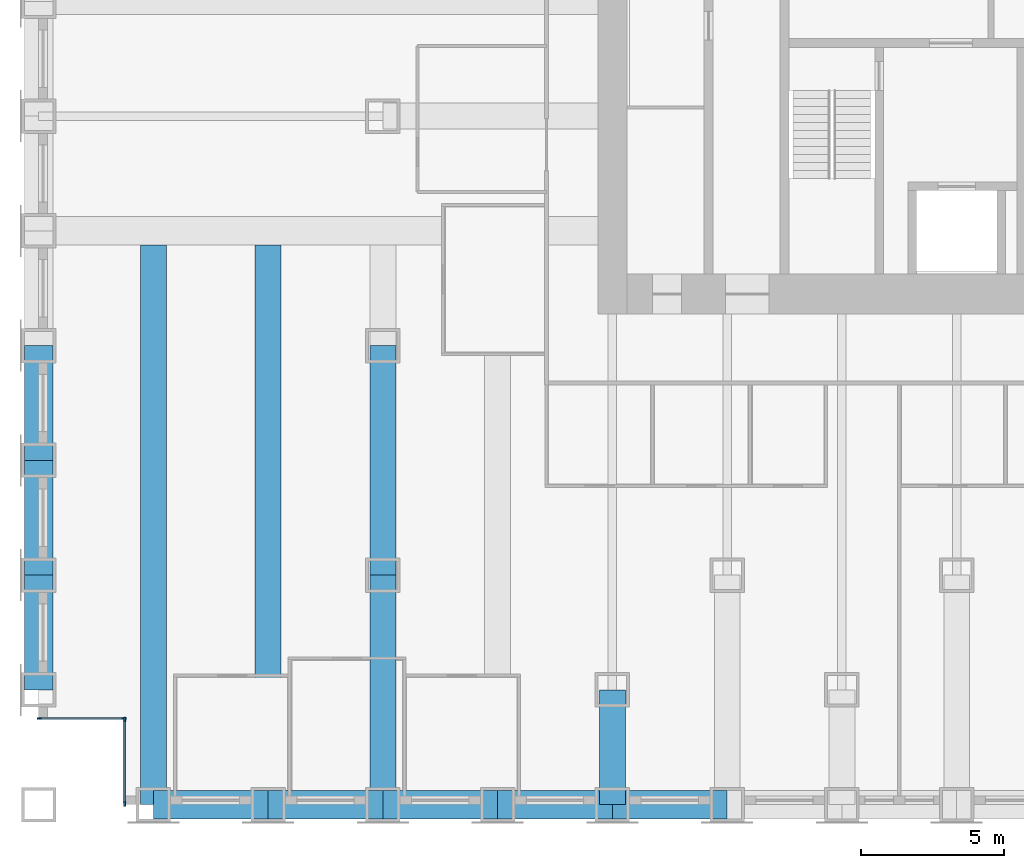
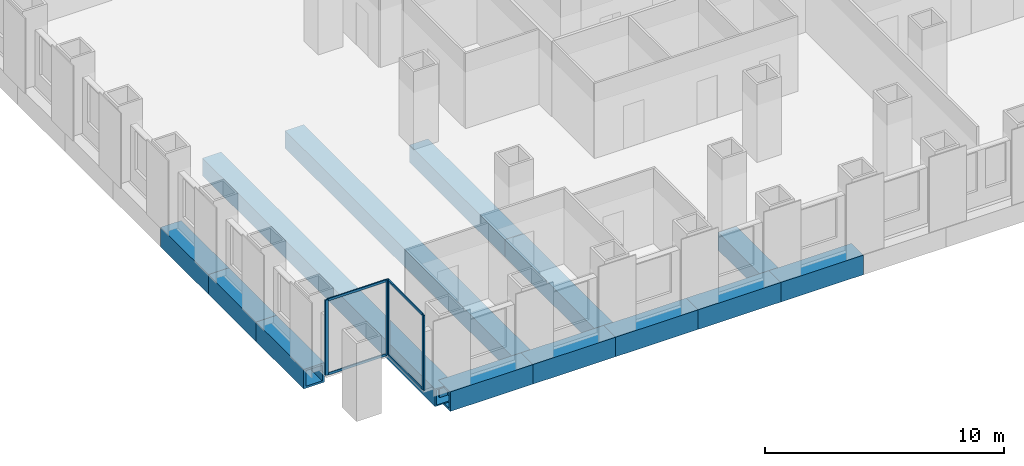
# One storey, part 2 of 14: 13 beams, 8 members, 2 elements without a shape of their own.
"""IFC4 building model written with IfcOpenShell, lengths in metres."""

from ifc_helpers import new_model, si_unit, direction, frame, origin, origin_2d, place, context, subcontext, project, spatial, rectangle, hollow_rectangle, extrude, material, material_profile, profile_set, type_object, element, aggregate, save


model = new_model("IFC4")

# Units and contexts
model_context = context("Model", 3, precision=1e-05, world=origin(), true_north=direction((0.0, 1.0)))
body_context = subcontext(model_context, "Body", "Model", "MODEL_VIEW")
ifc_project = project(units=[si_unit("LENGTHUNIT", "METRE"), si_unit("AREAUNIT", "SQUARE_METRE"), si_unit("VOLUMEUNIT", "CUBIC_METRE"), si_unit("PLANEANGLEUNIT", "RADIAN"), si_unit("MASSUNIT", "GRAM", prefix="KILO")], contexts=[model_context])

# Site, building, storey
site_placement = place(None, origin())
site = spatial("IfcSite", under=ifc_project, at=site_placement, CompositionType="ELEMENT")
building_placement = place(site_placement, origin())
building = spatial("IfcBuilding", under=site, at=building_placement, Name="Rimbunsela Tower", CompositionType="ELEMENT")
storey_placement = place(building_placement, frame((0.0, 0.0, 63.0)))
storey = spatial("IfcBuildingStorey", under=building, at=storey_placement, Name="L15", CompositionType="ELEMENT", Elevation=63.0)

# Beams
ifc_material_1 = material(Name="Steel BJ 55 (fy 410 MPa)", Category="steel")
ifc_material_profile_1 = material_profile(ifc_material_1, hollow_rectangle(XDim=1.0, YDim=1.0, WallThickness=0.10009765625, at=origin_2d()), Name="BOX 1000x1000x100")
ifc_profile_set_1 = profile_set([ifc_material_profile_1], Name="Steel BJ 55 (fy 410 MPa)")
beam_type_1 = type_object("IfcBeamType", Name="Beam BOX 1000x1000x100", PredefinedType="BEAM", material=ifc_profile_set_1)
for number, where, z_axis, x_axis, name in (
    (1, (-2.0, 4.0, -0.64990234375), (0.0, 1.0, 0.0), (-1.0, 0.0, 0.0), "Beam B3 L15"),
    (2, (-2.0, 8.0, -0.64990234375), (0.0, 1.0, 0.0), (-1.0, 0.0, 0.0), "Beam B3 L15"),
    (3, (-2.0, 12.0, -0.64990234375), (0.0, 1.0, 0.0), (-1.0, 0.0, 0.0), "Beam B3 L15"),
    (4, (2.0, 0.0, -0.64990234375), (1.0, 0.0, 0.0), (0.0, 1.0, 0.0), "Beam B3 L15"),
    (5, (6.0, 0.0, -0.64990234375), (1.0, 0.0, 0.0), (0.0, 1.0, 0.0), "Beam B3 L15"),
    (6, (10.0, 0.0, -0.64990234375), (1.0, 0.0, 0.0), (0.0, 1.0, 0.0), "Beam B3 L15"),
    (7, (14.0, 0.0, -0.64990234375), (1.0, 0.0, 0.0), (0.0, 1.0, 0.0), "Beam B3 L15"),
    (8, (18.0, 0.0, -0.64990234375), (1.0, 0.0, 0.0), (0.0, 1.0, 0.0), "Beam B3 L15"),
):
    element("IfcBeam", number, at=place(storey_placement, frame(where, z_axis=z_axis, x_axis=x_axis)), inside=storey, type_object=beam_type_1, Name=name, PredefinedType="BEAM", context=body_context, shape_type="SweptSolid", body=[
        extrude(hollow_rectangle(XDim=1.0, YDim=1.0, WallThickness=0.10009765625, at=origin_2d()), origin(), (0.0, 0.0, 1.0), 4.0),
    ])
ifc_material_2 = material(Name="Steel BJ 55 (fy 410 MPa)", Category="steel")
ifc_material_profile_2 = material_profile(ifc_material_2, hollow_rectangle(XDim=0.89990234375, YDim=0.89990234375, WallThickness=0.06005859375, at=origin_2d()), Name="BOX 900x900x60")
ifc_profile_set_2 = profile_set([ifc_material_profile_2], Name="Steel BJ 55 (fy 410 MPa)")
beam_type_2 = type_object("IfcBeamType", Name="Beam BOX 900x900x60", PredefinedType="BEAM", material=ifc_profile_set_2)
for number, where, z_axis, x_axis, name in (
    (9, (2.0, 0.0, -0.60009765625), (0.0, 1.0, 0.0), (-1.0, 0.0, 0.0), "Beam B1 L15"),
    (10, (6.0, 0.0, -0.60009765625), (0.0, 1.0, 0.0), (-1.0, 0.0, 0.0), "Beam B1 L15"),
):
    element("IfcBeam", number, at=place(storey_placement, frame(where, z_axis=z_axis, x_axis=x_axis)), inside=storey, type_object=beam_type_2, Name=name, PredefinedType="BEAM", context=body_context, shape_type="SweptSolid", body=[
        extrude(hollow_rectangle(XDim=0.89990234375, YDim=0.89990234375, WallThickness=0.06005859375, at=origin_2d()), origin(), (0.0, 0.0, 1.0), 19.5),
    ])
for number, where, z_axis, x_axis, name in (
    (11, (10.0, 0.0, -0.60009765625), (0.0, 1.0, 0.0), (-1.0, 0.0, 0.0), "Beam B1 L15"),
    (12, (10.0, 8.0, -0.60009765625), (0.0, 1.0, 0.0), (-1.0, 0.0, 0.0), "Beam B1 L15"),
):
    element("IfcBeam", number, at=place(storey_placement, frame(where, z_axis=z_axis, x_axis=x_axis)), inside=storey, type_object=beam_type_2, Name=name, PredefinedType="BEAM", context=body_context, shape_type="SweptSolid", body=[
        extrude(hollow_rectangle(XDim=0.89990234375, YDim=0.89990234375, WallThickness=0.06005859375, at=origin_2d()), origin(), (0.0, 0.0, 1.0), 8.0),
    ])
beam_placement = place(storey_placement, frame((18.0, 0.0, -0.60009765625), z_axis=(0.0, 1.0, 0.0), x_axis=(-1.0, 0.0, 0.0)))
element("IfcBeam", 13, at=beam_placement, inside=storey, type_object=beam_type_2, Name="Beam B1 L15", PredefinedType="BEAM", context=body_context, shape_type="SweptSolid", body=[
    extrude(hollow_rectangle(XDim=0.89990234375, YDim=0.89990234375, WallThickness=0.06005859375, at=origin_2d()), origin(), (0.0, 0.0, 1.0), 4.0),
])

# Curtain wall, members
ifc_material_3 = material(Name="Aluminium curtain wall", Category="aluminium")
curtain_wall_type = type_object("IfcCurtainWallType", Name="Corner glazing", PredefinedType="USERDEFINED", material=ifc_material_3)
curtain_wall_1_placement = place(storey_placement, origin())
curtain_wall_1 = element("IfcCurtainWall", 14, at=curtain_wall_1_placement, inside=storey, type_object=curtain_wall_type, Name="Corner glazing L15", ObjectType="CORNER GLAZING", PredefinedType="USERDEFINED")
ifc_material_4 = material(Name="Aluminium mullion", Category="aluminium")
ifc_material_profile_3 = material_profile(ifc_material_4, rectangle(XDim=0.06005859375, YDim=0.159912109375, at=origin_2d()), Name="Mullion 60x160")
ifc_profile_set_3 = profile_set([ifc_material_profile_3], Name="Aluminium mullion")
member_type_1 = type_object("IfcMemberType", Name="Curtain wall mullion 60x160", PredefinedType="MULLION", material=ifc_profile_set_3)
member_1_placement = place(storey_placement, frame((-1.969970703125, 3.0, 0.0), z_axis=(0.0, 0.0, 1.0), x_axis=(0.0, 1.0, 0.0)))
member_1 = element("IfcMember", 15, at=member_1_placement, type_object=member_type_1, Name="CW5 mullion 1", PredefinedType="MULLION", context=body_context, shape_type="SweptSolid", body=[
    extrude(rectangle(XDim=0.06005859375, YDim=0.159912109375, at=origin_2d()), origin(), (0.0, 0.0, 1.0), 3.85009765625),
])
member_2_placement = place(storey_placement, frame((0.969970703125, 3.0, 0.0), z_axis=(0.0, 0.0, 1.0), x_axis=(0.0, 1.0, 0.0)))
member_2 = element("IfcMember", 16, at=member_2_placement, type_object=member_type_1, Name="CW5 mullion 2", PredefinedType="MULLION", context=body_context, shape_type="SweptSolid", body=[
    extrude(rectangle(XDim=0.06005859375, YDim=0.159912109375, at=origin_2d()), origin(), (0.0, 0.0, 1.0), 3.85009765625),
])

curtain_wall_2_placement = place(storey_placement, origin())
curtain_wall_2 = element("IfcCurtainWall", 17, at=curtain_wall_2_placement, inside=storey, type_object=curtain_wall_type, Name="Corner glazing L15", ObjectType="CORNER GLAZING", PredefinedType="USERDEFINED")
member_3_placement = place(storey_placement, frame((1.0, 2.969970703125, 0.0), z_axis=(0.0, 0.0, 1.0), x_axis=(1.0, 0.0, 0.0)))
member_3 = element("IfcMember", 18, at=member_3_placement, type_object=member_type_1, Name="CW5 mullion 1", PredefinedType="MULLION", context=body_context, shape_type="SweptSolid", body=[
    extrude(rectangle(XDim=0.06005859375, YDim=0.159912109375, at=origin_2d()), origin(), (0.0, 0.0, 1.0), 3.85009765625),
])
member_4_placement = place(storey_placement, frame((1.0, 0.030029296875, 0.0), z_axis=(0.0, 0.0, 1.0), x_axis=(1.0, 0.0, 0.0)))
member_4 = element("IfcMember", 19, at=member_4_placement, type_object=member_type_1, Name="CW5 mullion 2", PredefinedType="MULLION", context=body_context, shape_type="SweptSolid", body=[
    extrude(rectangle(XDim=0.06005859375, YDim=0.159912109375, at=origin_2d()), origin(), (0.0, 0.0, 1.0), 3.85009765625),
])

# Member
ifc_material_5 = material(Name="Aluminium transom", Category="aluminium")
ifc_material_profile_4 = material_profile(ifc_material_5, rectangle(XDim=0.06005859375, YDim=0.1201171875, at=origin_2d()), Name="Transom 60x120")
ifc_profile_set_4 = profile_set([ifc_material_profile_4], Name="Aluminium transom")
member_type_2 = type_object("IfcMemberType", Name="Curtain wall transom 60x120", PredefinedType="USERDEFINED", material=ifc_profile_set_4)
member_5_placement = place(storey_placement, frame((-1.93994140625, 3.0, 0.030029296875), z_axis=(1.0, 0.0, 0.0), x_axis=(0.0, 1.0, 0.0)))
member_5 = element("IfcMember", 20, at=member_5_placement, type_object=member_type_2, Name="CW5 transom 1.1", ObjectType="TRANSOM", PredefinedType="USERDEFINED", context=body_context, shape_type="SweptSolid", body=[
    extrude(rectangle(XDim=0.06005859375, YDim=0.1201171875, at=origin_2d()), origin(), (0.0, 0.0, 1.0), 2.8798828125),
])

member_6_placement = place(storey_placement, frame((-1.93994140625, 3.0, 3.820068359375), z_axis=(1.0, 0.0, 0.0), x_axis=(0.0, 1.0, 0.0)))
member_6 = element("IfcMember", 21, at=member_6_placement, type_object=member_type_2, Name="CW5 transom 1.2", ObjectType="TRANSOM", PredefinedType="USERDEFINED", context=body_context, shape_type="SweptSolid", body=[
    extrude(rectangle(XDim=0.06005859375, YDim=0.1201171875, at=origin_2d()), origin(), (0.0, 0.0, 1.0), 2.8798828125),
])

aggregate(curtain_wall_1, [member_1, member_2, member_5, member_6])

member_7_placement = place(storey_placement, frame((1.0, 2.93994140625, 0.030029296875), z_axis=(0.0, -1.0, 0.0), x_axis=(1.0, 0.0, 0.0)))
member_7 = element("IfcMember", 22, at=member_7_placement, type_object=member_type_2, Name="CW5 transom 1.1", ObjectType="TRANSOM", PredefinedType="USERDEFINED", context=body_context, shape_type="SweptSolid", body=[
    extrude(rectangle(XDim=0.06005859375, YDim=0.1201171875, at=origin_2d()), origin(), (0.0, 0.0, 1.0), 2.8798828125),
])

member_8_placement = place(storey_placement, frame((1.0, 2.93994140625, 3.820068359375), z_axis=(0.0, -1.0, 0.0), x_axis=(1.0, 0.0, 0.0)))
member_8 = element("IfcMember", 23, at=member_8_placement, type_object=member_type_2, Name="CW5 transom 1.2", ObjectType="TRANSOM", PredefinedType="USERDEFINED", context=body_context, shape_type="SweptSolid", body=[
    extrude(rectangle(XDim=0.06005859375, YDim=0.1201171875, at=origin_2d()), origin(), (0.0, 0.0, 1.0), 2.8798828125),
])

aggregate(curtain_wall_2, [member_3, member_4, member_7, member_8])

save(model, "model.ifc")
